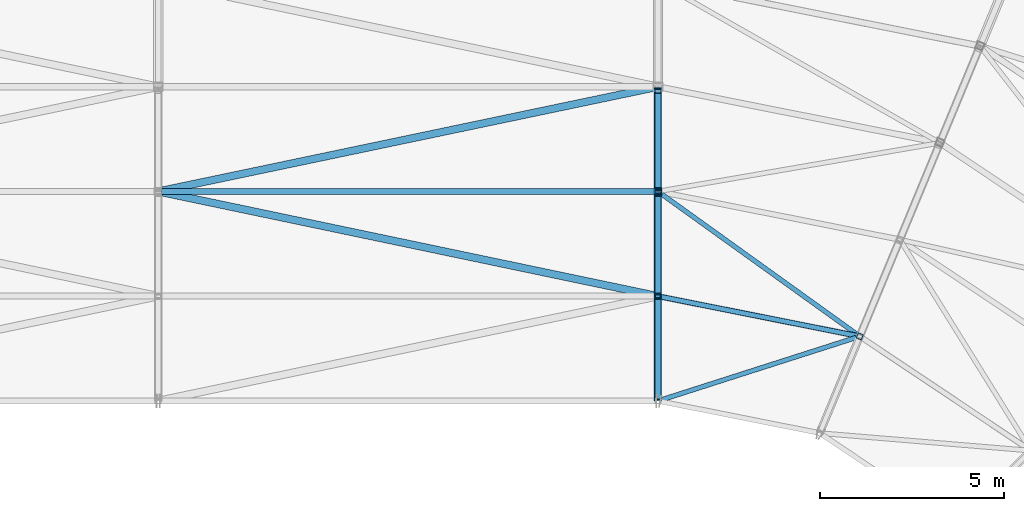
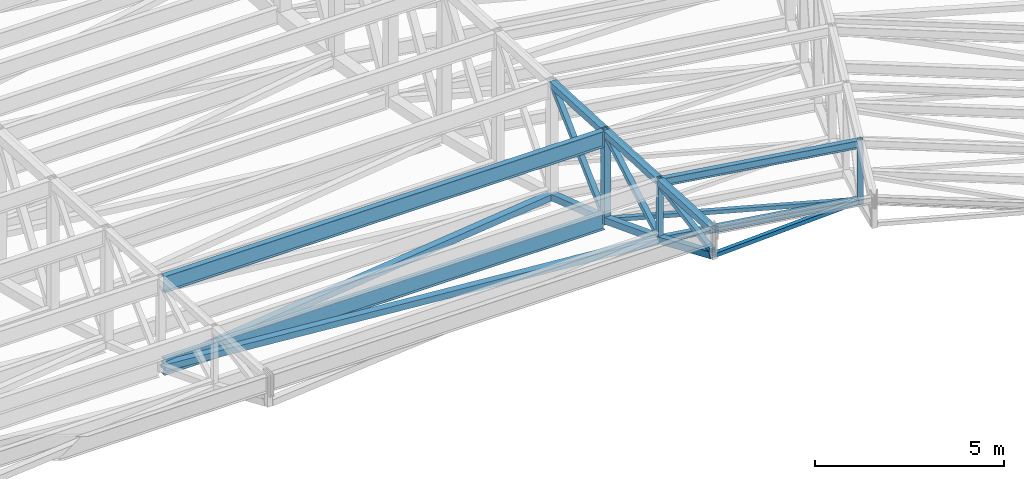
# One storey, part 84 of 278: 11 members, 9 beams.
"""IFC4 building model written with IfcOpenShell, lengths in metres."""

from ifc_helpers import new_model, si_unit, direction, frame, origin, origin_2d, place, context, subcontext, project, spatial, hollow_rectangle, i_section, extrude, material, material_profile, profile_set, type_object, element, save


model = new_model("IFC4")

# Units and contexts
model_context = context("Model", 3, precision=1e-05, world=origin(), true_north=direction((0.0, 1.0)))
body_context = subcontext(model_context, "Body", "Model", "MODEL_VIEW")
ifc_project = project(units=[si_unit("LENGTHUNIT", "METRE"), si_unit("AREAUNIT", "SQUARE_METRE"), si_unit("VOLUMEUNIT", "CUBIC_METRE"), si_unit("PLANEANGLEUNIT", "RADIAN"), si_unit("MASSUNIT", "GRAM", prefix="KILO")], contexts=[model_context])

# Site, building, storey
site_placement = place(None, origin())
site = spatial("IfcSite", under=ifc_project, at=site_placement, CompositionType="ELEMENT")
building_placement = place(site_placement, origin())
building = spatial("IfcBuilding", under=site, at=building_placement, Name="Ogive Plaza Stadium", CompositionType="ELEMENT")
storey_placement = place(building_placement, frame((0.0, 0.0, 29.0)))
storey = spatial("IfcBuildingStorey", under=building, at=storey_placement, Name="Roof", CompositionType="ELEMENT", Elevation=29.0)

# Members
ifc_material_1 = material(Name="Steel ASTM A500 Grade C", Category="steel")
ifc_material_profile_1 = material_profile(ifc_material_1, hollow_rectangle(XDim=0.126953125, YDim=0.126953125, WallThickness=0.005859375, at=origin_2d()), Name="HSS5X5X1/4")
ifc_profile_set_1 = profile_set([ifc_material_profile_1], Name="Steel ASTM A500 Grade C")
member_type_1 = type_object("IfcMemberType", Name="Roof plan brace HSS5X5X1/4", PredefinedType="BRACE", material=ifc_profile_set_1)
member_1_placement = place(storey_placement, frame((34.06689453125, 64.021484375, 6.51171875), z_axis=(0.931756186308, 0.298211703001, -0.207123609157), x_axis=(-0.304821831197, 0.952409392659, 0.0)))
element("IfcMember", 1, at=member_1_placement, inside=storey, type_object=member_type_1, Name="ROOF BRACE B37 1", PredefinedType="BRACE", context=body_context, shape_type="SweptSolid", body=[
    extrude(hollow_rectangle(XDim=0.126953125, YDim=0.126953125, WallThickness=0.005859375, at=origin_2d()), origin(), (0.0, 0.0, 1.0), 5.695556640625),
])
member_2_placement = place(storey_placement, frame((39.440185546875, 65.79443359375, 5.295654296875), z_axis=(-0.801941815002, 0.575714451742, -0.15950609834), x_axis=(-0.583180950598, -0.812342279375, 0.0)))
element("IfcMember", 2, at=member_2_placement, inside=storey, type_object=member_type_1, Name="ROOF BRACE B37 2", PredefinedType="BRACE", context=body_context, shape_type="SweptSolid", body=[
    extrude(hollow_rectangle(XDim=0.126953125, YDim=0.126953125, WallThickness=0.005859375, at=origin_2d()), origin(), (0.0, 0.0, 1.0), 6.641357421875),
])
ifc_material_2 = material(Name="Steel ASTM A500 Grade C", Category="steel")
ifc_material_profile_2 = material_profile(ifc_material_2, hollow_rectangle(XDim=0.203125, YDim=0.203125, WallThickness=0.0087890625, at=origin_2d()), Name="HSS8X8X3/8")
ifc_profile_set_2 = profile_set([ifc_material_profile_2], Name="Steel ASTM A500 Grade C")
member_type_2 = type_object("IfcMemberType", Name="Roof plan brace HSS8X8X3/8", PredefinedType="BRACE", material=ifc_profile_set_2)
member_3_placement = place(storey_placement, frame((33.932373046875, 66.8642578125, 5.30029296875), z_axis=(-0.975733868402, 0.204463279961, -0.078346571082), x_axis=(-0.205093700418, -0.978742343035, 0.0)))
element("IfcMember", 3, at=member_3_placement, inside=storey, type_object=member_type_2, Name="ROOF BRACE B36 2", PredefinedType="BRACE", context=body_context, shape_type="SweptSolid", body=[
    extrude(hollow_rectangle(XDim=0.203125, YDim=0.203125, WallThickness=0.0087890625, at=origin_2d()), origin(), (0.0, 0.0, 1.0), 13.7734375),
])
member_4_placement = place(storey_placement, frame((20.4931640625, 69.719482421875, 4.207275390625), z_axis=(0.976515317582, 0.204641125651, -0.067378366106), x_axis=(-0.205107232709, 0.97873950727, 0.0)))
element("IfcMember", 4, at=member_4_placement, inside=storey, type_object=member_type_2, Name="ROOF BRACE B36 3", PredefinedType="BRACE", context=body_context, shape_type="SweptSolid", body=[
    extrude(hollow_rectangle(XDim=0.203125, YDim=0.203125, WallThickness=0.0087890625, at=origin_2d()), origin(), (0.0, 0.0, 1.0), 13.736328125),
])
ifc_material_3 = material(Name="Steel ASTM A992 Grade 50", Category="steel")
ifc_material_profile_3 = material_profile(ifc_material_3, i_section(OverallWidth=0.1650390625, OverallDepth=0.524658203125, WebThickness=0.0087890625, FlangeThickness=0.011474609375, at=origin_2d()), Name="W21X44")
ifc_profile_set_3 = profile_set([ifc_material_profile_3], Name="Steel ASTM A992 Grade 50")
member_type_3 = type_object("IfcMemberType", Name="Roof plan strut W21X44", PredefinedType="STRUT", material=ifc_profile_set_3)
member_5_placement = place(storey_placement, frame((20.4716796875, 69.699951171875, 4.213623046875), z_axis=(1.0, 0.0, 0.0), x_axis=(0.0, 1.0, 0.0)))
element("IfcMember", 5, at=member_5_placement, inside=storey, type_object=member_type_3, Name="ROOF STRUT B36 2", PredefinedType="STRUT", context=body_context, shape_type="SweptSolid", body=[
    extrude(i_section(OverallWidth=0.1650390625, OverallDepth=0.524658203125, WebThickness=0.0087890625, FlangeThickness=0.011474609375, at=origin_2d()), origin(), (0.0, 0.0, 1.0), 13.456787109375),
])
ifc_material_4 = material(Name="Steel ASTM A992 Grade 50", Category="steel")
ifc_material_profile_4 = material_profile(ifc_material_4, i_section(OverallWidth=0.13330078125, OverallDepth=0.206787109375, WebThickness=0.005859375, FlangeThickness=0.00830078125, at=origin_2d()), Name="W8X18")
ifc_profile_set_4 = profile_set([ifc_material_profile_4], Name="Steel ASTM A992 Grade 50")
member_type_4 = type_object("IfcMemberType", Name="Roof plan strut W8X18", PredefinedType="STRUT", material=ifc_profile_set_4)
member_6_placement = place(storey_placement, frame((34.059814453125, 66.838134765625, 5.305908203125), z_axis=(0.980782455646, -0.195104522491, 0.0), x_axis=(0.195104522491, 0.980782455646, 0.0)))
element("IfcMember", 6, at=member_6_placement, inside=storey, type_object=member_type_4, Name="ROOF STRUT B37 1", PredefinedType="STRUT", context=body_context, shape_type="SweptSolid", body=[
    extrude(i_section(OverallWidth=0.13330078125, OverallDepth=0.206787109375, WebThickness=0.005859375, FlangeThickness=0.00830078125, at=origin_2d()), origin(), (0.0, 0.0, 1.0), 5.47705078125),
])
ifc_material_5 = material(Name="Steel ASTM A992 Grade 50", Category="steel")
ifc_material_profile_5 = material_profile(ifc_material_5, i_section(OverallWidth=0.14599609375, OverallDepth=0.25830078125, WebThickness=0.006103515625, FlangeThickness=0.009033203125, at=origin_2d()), Name="W10X22")
ifc_profile_set_5 = profile_set([ifc_material_profile_5], Name="Steel ASTM A992 Grade 50")
member_type_5 = type_object("IfcMemberType", Name="Roof purlin W10X22", PredefinedType="PURLIN", material=ifc_profile_set_5)
member_7_placement = place(storey_placement, frame((34.06103515625, 66.837890625, 7.1533203125), z_axis=(0.980782547175, -0.195104062379, 0.0), x_axis=(0.195104062379, 0.980782547175, 0.0)))
element("IfcMember", 7, at=member_7_placement, inside=storey, type_object=member_type_5, Name="ROOF PURLIN B37 1", PredefinedType="PURLIN", context=body_context, shape_type="SweptSolid", body=[
    extrude(i_section(OverallWidth=0.14599609375, OverallDepth=0.25830078125, WebThickness=0.006103515625, FlangeThickness=0.009033203125, at=origin_2d()), origin(), (0.0, 0.0, 1.0), 5.474609375),
])
ifc_material_6 = material(Name="Steel ASTM A992 Grade 50", Category="steel")
ifc_material_profile_6 = material_profile(ifc_material_6, i_section(OverallWidth=0.1650390625, OverallDepth=0.524658203125, WebThickness=0.0087890625, FlangeThickness=0.011474609375, at=origin_2d()), Name="W21X44")
ifc_profile_set_6 = profile_set([ifc_material_profile_6], Name="Steel ASTM A992 Grade 50")
member_type_6 = type_object("IfcMemberType", Name="Roof purlin W21X44", PredefinedType="PURLIN", material=ifc_profile_set_6)
member_8_placement = place(storey_placement, frame((20.4716796875, 69.699951171875, 6.877685546875), z_axis=(1.0, 0.0, 0.0), x_axis=(0.0, 1.0, 0.0)))
element("IfcMember", 8, at=member_8_placement, inside=storey, type_object=member_type_6, Name="ROOF PURLIN B36 2", PredefinedType="PURLIN", context=body_context, shape_type="SweptSolid", body=[
    extrude(i_section(OverallWidth=0.1650390625, OverallDepth=0.524658203125, WebThickness=0.0087890625, FlangeThickness=0.011474609375, at=origin_2d()), origin(), (0.0, 0.0, 1.0), 13.456787109375),
])

# Beams
ifc_material_7 = material(Name="Steel ASTM A500 Grade C", Category="steel")
ifc_material_profile_7 = material_profile(ifc_material_7, hollow_rectangle(XDim=0.203125, YDim=0.203125, WallThickness=0.01171875, at=origin_2d()), Name="HSS8X8X1/2")
ifc_profile_set_7 = profile_set([ifc_material_profile_7], Name="Steel ASTM A500 Grade C")
beam_type_1 = type_object("IfcBeamType", Name="Roof truss bottom chord HSS8X8X1/2", PredefinedType="BEAM", material=ifc_profile_set_7)
beam_1_placement = place(storey_placement, frame((34.0, 64.0400390625, 6.518310546875), z_axis=(0.0, 0.919215459426, -0.393754922702), x_axis=(-1.0, 0.0, 0.0)))
element("IfcBeam", 9, at=beam_1_placement, inside=storey, type_object=beam_type_1, Name="ROOF TRUSS T37 BOTTOM CHORD 1", PredefinedType="BEAM", context=body_context, shape_type="SweptSolid", body=[
    extrude(hollow_rectangle(XDim=0.203125, YDim=0.203125, WallThickness=0.01171875, at=origin_2d()), origin(), (0.0, 0.0, 1.0), 3.04736328125),
])
beam_2_placement = place(storey_placement, frame((34.0, 66.886474609375, 5.299072265625), z_axis=(0.0, 0.933780874892, -0.357845326484), x_axis=(-1.0, 0.0, 0.0)))
element("IfcBeam", 10, at=beam_2_placement, inside=storey, type_object=beam_type_1, Name="ROOF TRUSS T37 BOTTOM CHORD 2", PredefinedType="BEAM", context=body_context, shape_type="SweptSolid", body=[
    extrude(hollow_rectangle(XDim=0.203125, YDim=0.203125, WallThickness=0.01171875, at=origin_2d()), origin(), (0.0, 0.0, 1.0), 2.97314453125),
])
beam_3_placement = place(storey_placement, frame((34.0, 69.74072265625, 4.20556640625), z_axis=(0.0, 0.947299736415, -0.320348574817), x_axis=(-1.0, 0.0, 0.0)))
element("IfcBeam", 11, at=beam_3_placement, inside=storey, type_object=beam_type_1, Name="ROOF TRUSS T37 BOTTOM CHORD 3", PredefinedType="BEAM", context=body_context, shape_type="SweptSolid", body=[
    extrude(hollow_rectangle(XDim=0.203125, YDim=0.203125, WallThickness=0.01171875, at=origin_2d()), origin(), (0.0, 0.0, 1.0), 2.912841796875),
])

# Members
ifc_material_8 = material(Name="Steel ASTM A500 Grade C", Category="steel")
ifc_material_profile_8 = material_profile(ifc_material_8, hollow_rectangle(XDim=0.15234375, YDim=0.15234375, WallThickness=0.005859375, at=origin_2d()), Name="HSS6X6X1/4")
ifc_profile_set_8 = profile_set([ifc_material_profile_8], Name="Steel ASTM A500 Grade C")
member_type_7 = type_object("IfcMemberType", Name="Roof truss diagonal HSS6X6X1/4", PredefinedType="BRACE", material=ifc_profile_set_8)
member_9_placement = place(storey_placement, frame((34.0, 64.076171875, 6.628173828125), z_axis=(0.0, 0.986299671123, 0.164963507307), x_axis=(-1.0, 0.0, 0.0)))
element("IfcMember", 12, at=member_9_placement, inside=storey, type_object=member_type_7, Name="ROOF TRUSS T37 DIAGONAL 1", PredefinedType="BRACE", context=body_context, shape_type="SweptSolid", body=[
    extrude(hollow_rectangle(XDim=0.15234375, YDim=0.15234375, WallThickness=0.005859375, at=origin_2d()), origin(), (0.0, 0.0, 1.0), 2.73486328125),
])
member_10_placement = place(storey_placement, frame((34.0, 66.92626953125, 5.407470703125), z_axis=(0.0, 0.8679111184, 0.496719529069), x_axis=(-1.0, 0.0, 0.0)))
element("IfcMember", 13, at=member_10_placement, inside=storey, type_object=member_type_7, Name="ROOF TRUSS T37 DIAGONAL 2", PredefinedType="BRACE", context=body_context, shape_type="SweptSolid", body=[
    extrude(hollow_rectangle(XDim=0.15234375, YDim=0.15234375, WallThickness=0.005859375, at=origin_2d()), origin(), (0.0, 0.0, 1.0), 3.078857421875),
])
ifc_material_9 = material(Name="Steel ASTM A500 Grade C", Category="steel")
ifc_material_profile_9 = material_profile(ifc_material_9, hollow_rectangle(XDim=0.15234375, YDim=0.15234375, WallThickness=0.0087890625, at=origin_2d()), Name="HSS6X6X3/8")
ifc_profile_set_9 = profile_set([ifc_material_profile_9], Name="Steel ASTM A500 Grade C")
member_type_8 = type_object("IfcMemberType", Name="Roof truss diagonal HSS6X6X3/8", PredefinedType="BRACE", material=ifc_profile_set_9)
member_11_placement = place(storey_placement, frame((34.0, 69.801513671875, 4.315185546875), z_axis=(0.0, 0.726588919749, 0.687072442832), x_axis=(-1.0, 0.0, 0.0)))
element("IfcMember", 14, at=member_11_placement, inside=storey, type_object=member_type_8, Name="ROOF TRUSS T37 DIAGONAL 3", PredefinedType="BRACE", context=body_context, shape_type="SweptSolid", body=[
    extrude(hollow_rectangle(XDim=0.15234375, YDim=0.15234375, WallThickness=0.0087890625, at=origin_2d()), origin(), (0.0, 0.0, 1.0), 3.608154296875),
])

# Beams
ifc_material_10 = material(Name="Steel ASTM A500 Grade C", Category="steel")
ifc_material_profile_10 = material_profile(ifc_material_10, hollow_rectangle(XDim=0.15234375, YDim=0.15234375, WallThickness=0.0087890625, at=origin_2d()), Name="HSS6X6X3/8")
ifc_profile_set_10 = profile_set([ifc_material_profile_10], Name="Steel ASTM A500 Grade C")
beam_type_2 = type_object("IfcBeamType", Name="Roof truss post HSS6X6X3/8", PredefinedType="BEAM", material=ifc_profile_set_10)
for number, where, z_axis, x_axis, name in (
    (15, (34.0, 66.85009765625, 5.204345703125), (0.0, 0.0, 1.0), (-1.0, 0.0, 0.0), "ROOF TRUSS T37 POST 2"),
    (16, (39.491455078125, 65.757568359375, 5.204345703125), (0.0, 0.0, 1.0), (-0.923879532511, 0.382683432365, 0.0), "ROOF TRUSS T38 POST 2"),
):
    element("IfcBeam", number, at=place(storey_placement, frame(where, z_axis=z_axis, x_axis=x_axis)), inside=storey, type_object=beam_type_2, Name=name, PredefinedType="BEAM", context=body_context, shape_type="SweptSolid", body=[
        extrude(hollow_rectangle(XDim=0.15234375, YDim=0.15234375, WallThickness=0.0087890625, at=origin_2d()), origin(), (0.0, 0.0, 1.0), 2.078125),
    ])
ifc_material_11 = material(Name="Steel ASTM A500 Grade C", Category="steel")
ifc_material_profile_11 = material_profile(ifc_material_11, hollow_rectangle(XDim=0.203125, YDim=0.203125, WallThickness=0.0087890625, at=origin_2d()), Name="HSS8X8X3/8")
ifc_profile_set_11 = profile_set([ifc_material_profile_11], Name="Steel ASTM A500 Grade C")
beam_type_3 = type_object("IfcBeamType", Name="Roof truss post HSS8X8X3/8", PredefinedType="BEAM", material=ifc_profile_set_11)
beam_4_placement = place(storey_placement, frame((34.0, 69.699951171875, 4.112060546875), z_axis=(0.0, 0.0, 1.0), x_axis=(-1.0, 0.0, 0.0)))
element("IfcBeam", 17, at=beam_4_placement, inside=storey, type_object=beam_type_3, Name="ROOF TRUSS T37 POST 3", PredefinedType="BEAM", context=body_context, shape_type="SweptSolid", body=[
    extrude(hollow_rectangle(XDim=0.203125, YDim=0.203125, WallThickness=0.0087890625, at=origin_2d()), origin(), (0.0, 0.0, 1.0), 3.02783203125),
])
ifc_material_12 = material(Name="Steel ASTM A500 Grade C", Category="steel")
ifc_material_profile_12 = material_profile(ifc_material_12, hollow_rectangle(XDim=0.203125, YDim=0.203125, WallThickness=0.0087890625, at=origin_2d()), Name="HSS8X8X3/8")
ifc_profile_set_12 = profile_set([ifc_material_profile_12], Name="Steel ASTM A500 Grade C")
beam_type_4 = type_object("IfcBeamType", Name="Roof truss top chord HSS8X8X3/8", PredefinedType="BEAM", material=ifc_profile_set_12)
beam_5_placement = place(storey_placement, frame((34.0, 64.041259765625, 7.3212890625), z_axis=(0.0, 0.998751459876, -0.049955193873), x_axis=(-1.0, 0.0, 0.0)))
element("IfcBeam", 18, at=beam_5_placement, inside=storey, type_object=beam_type_4, Name="ROOF TRUSS T37 TOP CHORD 1", PredefinedType="BEAM", context=body_context, shape_type="SweptSolid", body=[
    extrude(hollow_rectangle(XDim=0.203125, YDim=0.203125, WallThickness=0.0087890625, at=origin_2d()), origin(), (0.0, 0.0, 1.0), 2.77099609375),
])
beam_6_placement = place(storey_placement, frame((34.0, 66.89111328125, 7.1787109375), z_axis=(0.0, 0.998752338878, -0.049937616944), x_axis=(-1.0, 0.0, 0.0)))
element("IfcBeam", 19, at=beam_6_placement, inside=storey, type_object=beam_type_4, Name="ROOF TRUSS T37 TOP CHORD 2", PredefinedType="BEAM", context=body_context, shape_type="SweptSolid", body=[
    extrude(hollow_rectangle(XDim=0.203125, YDim=0.203125, WallThickness=0.0087890625, at=origin_2d()), origin(), (0.0, 0.0, 1.0), 2.76220703125),
])
beam_7_placement = place(storey_placement, frame((34.0, 69.75, 7.035888671875), z_axis=(0.0, 0.998748798523, -0.05000837379), x_axis=(-1.0, 0.0, 0.0)))
element("IfcBeam", 20, at=beam_7_placement, inside=storey, type_object=beam_type_4, Name="ROOF TRUSS T37 TOP CHORD 3", PredefinedType="BEAM", context=body_context, shape_type="SweptSolid", body=[
    extrude(hollow_rectangle(XDim=0.203125, YDim=0.203125, WallThickness=0.0087890625, at=origin_2d()), origin(), (0.0, 0.0, 1.0), 2.75341796875),
])

save(model, "model.ifc")
